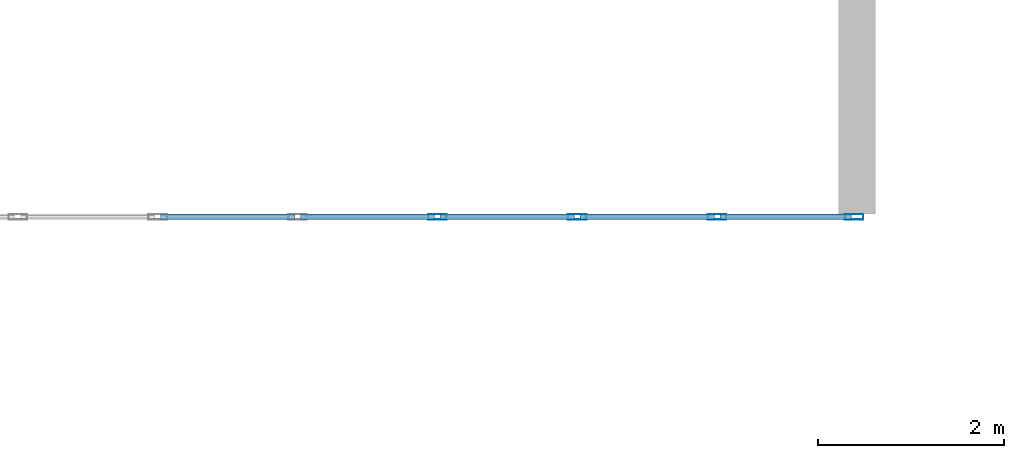
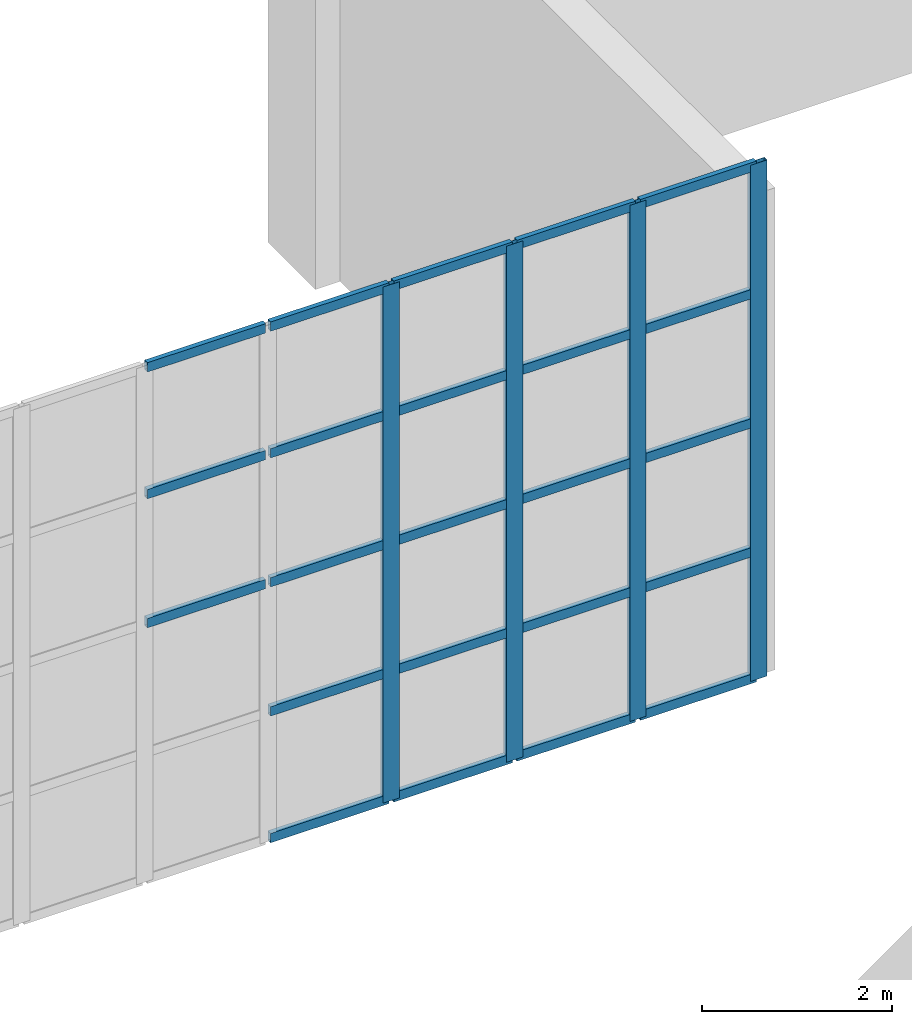
# One storey, part 21 of 85: 27 members, 1 element without a shape of its own.
"""IFC4 building model written with IfcOpenShell, lengths in metres."""

from ifc_helpers import new_model, si_unit, direction, frame, origin, origin_2d, place, context, subcontext, project, spatial, hollow_rectangle, extrude, material, layer, layer_set, material_profile, profile_set, type_object, element, aggregate, save


model = new_model("IFC4")

# Units and contexts
model_context = context("Model", 3, precision=1e-05, world=origin(), true_north=direction((0.0, 1.0)))
body_context = subcontext(model_context, "Body", "Model", "MODEL_VIEW")
ifc_project = project(units=[si_unit("LENGTHUNIT", "METRE"), si_unit("AREAUNIT", "SQUARE_METRE"), si_unit("VOLUMEUNIT", "CUBIC_METRE"), si_unit("PLANEANGLEUNIT", "RADIAN"), si_unit("MASSUNIT", "GRAM", prefix="KILO")], contexts=[model_context])

# Site, building, storey
site_placement = place(None, origin())
site = spatial("IfcSite", under=ifc_project, at=site_placement, CompositionType="ELEMENT")
building_placement = place(site_placement, origin())
building = spatial("IfcBuilding", under=site, at=building_placement, Name="Opaline Strait Convention Centre", CompositionType="ELEMENT")
storey_placement = place(building_placement, frame((0.0, 0.0, 17.0)))
storey = spatial("IfcBuildingStorey", under=building, at=storey_placement, Name="L03", CompositionType="ELEMENT", Elevation=17.0)

# Curtain wall, members
ifc_material_1 = material(Name="Aluminium framed glazing", Category="aluminium")
ifc_layer = layer(ifc_material_1, 0.199951171875)
ifc_layer_set = layer_set([ifc_layer], Name="Aluminium framed glazing")
curtain_wall_type = type_object("IfcCurtainWallType", Name="Entrance curtain wall 1500", PredefinedType="NOTDEFINED", material=ifc_layer_set)
curtain_wall_placement = place(storey_placement, origin())
curtain_wall = element("IfcCurtainWall", 1, at=curtain_wall_placement, inside=storey, type_object=curtain_wall_type, Name="Entrance curtain wall L03-R3", PredefinedType="NOTDEFINED")
ifc_material_2 = material(Name="Aluminium alloy 6063", Category="aluminium")
ifc_material_profile_1 = material_profile(ifc_material_2, hollow_rectangle(XDim=0.06005859375, YDim=0.199951171875, WallThickness=0.00390625, at=origin_2d()), Name="MULLION 60x200x4")
ifc_profile_set_1 = profile_set([ifc_material_profile_1], Name="Aluminium alloy 6063")
member_type_1 = type_object("IfcMemberType", Name="Curtain wall mullion 60 x 200", PredefinedType="MULLION", material=ifc_profile_set_1)
member_1_placement = place(storey_placement, frame((202.5, 144.0, 0.0), z_axis=(0.0, 0.0, 1.0), x_axis=(0.0, 1.0, 0.0)))
member_1 = element("IfcMember", 2, at=member_1_placement, type_object=member_type_1, Name="XCW mullion 10", PredefinedType="MULLION", context=body_context, shape_type="SweptSolid", body=[
    extrude(hollow_rectangle(XDim=0.06005859375, YDim=0.199951171875, WallThickness=0.00390625, at=origin_2d()), origin(), (0.0, 0.0, 1.0), 6.639892578125),
])
member_2_placement = place(storey_placement, frame((204.0, 144.0, 0.0), z_axis=(0.0, 0.0, 1.0), x_axis=(0.0, 1.0, 0.0)))
member_2 = element("IfcMember", 3, at=member_2_placement, type_object=member_type_1, Name="XCW mullion 11", PredefinedType="MULLION", context=body_context, shape_type="SweptSolid", body=[
    extrude(hollow_rectangle(XDim=0.06005859375, YDim=0.199951171875, WallThickness=0.00390625, at=origin_2d()), origin(), (0.0, 0.0, 1.0), 6.639892578125),
])
member_3_placement = place(storey_placement, frame((205.5, 144.0, 0.0), z_axis=(0.0, 0.0, 1.0), x_axis=(0.0, 1.0, 0.0)))
member_3 = element("IfcMember", 4, at=member_3_placement, type_object=member_type_1, Name="XCW mullion 12", PredefinedType="MULLION", context=body_context, shape_type="SweptSolid", body=[
    extrude(hollow_rectangle(XDim=0.06005859375, YDim=0.199951171875, WallThickness=0.00390625, at=origin_2d()), origin(), (0.0, 0.0, 1.0), 6.639892578125),
])
member_4_placement = place(storey_placement, frame((206.969970703125, 144.0, 0.0), z_axis=(0.0, 0.0, 1.0), x_axis=(0.0, 1.0, 0.0)))
member_4 = element("IfcMember", 5, at=member_4_placement, type_object=member_type_1, Name="XCW mullion 13", PredefinedType="MULLION", context=body_context, shape_type="SweptSolid", body=[
    extrude(hollow_rectangle(XDim=0.06005859375, YDim=0.199951171875, WallThickness=0.00390625, at=origin_2d()), origin(), (0.0, 0.0, 1.0), 6.639892578125),
])
ifc_material_profile_2 = material_profile(ifc_material_2, hollow_rectangle(XDim=0.06005859375, YDim=0.1201171875, WallThickness=0.0029296875, at=origin_2d()), Name="TRANSOM 60x120x3")
ifc_profile_set_2 = profile_set([ifc_material_profile_2], Name="Aluminium alloy 6063")
member_type_2 = type_object("IfcMemberType", Name="Curtain wall transom 60 x 120", PredefinedType="USERDEFINED", material=ifc_profile_set_2)
member_5_placement = place(storey_placement, frame((199.530029296875, 144.0, 3.320068359375), z_axis=(1.0, 0.0, 0.0), x_axis=(0.0, 1.0, 0.0)))
member_5 = element("IfcMember", 6, at=member_5_placement, type_object=member_type_2, Name="XCW transom 8.3", ObjectType="TRANSOM", PredefinedType="USERDEFINED", context=body_context, shape_type="SweptSolid", body=[
    extrude(hollow_rectangle(XDim=0.06005859375, YDim=0.1201171875, WallThickness=0.0029296875, at=origin_2d()), origin(), (0.0, 0.0, 1.0), 1.43994140625),
])
member_6_placement = place(storey_placement, frame((199.530029296875, 144.0, 4.97998046875), z_axis=(1.0, 0.0, 0.0), x_axis=(0.0, 1.0, 0.0)))
member_6 = element("IfcMember", 7, at=member_6_placement, type_object=member_type_2, Name="XCW transom 8.4", ObjectType="TRANSOM", PredefinedType="USERDEFINED", context=body_context, shape_type="SweptSolid", body=[
    extrude(hollow_rectangle(XDim=0.06005859375, YDim=0.1201171875, WallThickness=0.0029296875, at=origin_2d()), origin(), (0.0, 0.0, 1.0), 1.43994140625),
])
member_7_placement = place(storey_placement, frame((199.530029296875, 144.0, 6.610107421875), z_axis=(1.0, 0.0, 0.0), x_axis=(0.0, 1.0, 0.0)))
member_7 = element("IfcMember", 8, at=member_7_placement, type_object=member_type_2, Name="XCW transom 8.5", ObjectType="TRANSOM", PredefinedType="USERDEFINED", context=body_context, shape_type="SweptSolid", body=[
    extrude(hollow_rectangle(XDim=0.06005859375, YDim=0.1201171875, WallThickness=0.0029296875, at=origin_2d()), origin(), (0.0, 0.0, 1.0), 1.43994140625),
])
member_8_placement = place(storey_placement, frame((201.030029296875, 144.0, 0.030029296875), z_axis=(1.0, 0.0, 0.0), x_axis=(0.0, 1.0, 0.0)))
member_8 = element("IfcMember", 9, at=member_8_placement, type_object=member_type_2, Name="XCW transom 9.1", ObjectType="TRANSOM", PredefinedType="USERDEFINED", context=body_context, shape_type="SweptSolid", body=[
    extrude(hollow_rectangle(XDim=0.06005859375, YDim=0.1201171875, WallThickness=0.0029296875, at=origin_2d()), origin(), (0.0, 0.0, 1.0), 1.43994140625),
])
member_9_placement = place(storey_placement, frame((201.030029296875, 144.0, 1.659912109375), z_axis=(1.0, 0.0, 0.0), x_axis=(0.0, 1.0, 0.0)))
member_9 = element("IfcMember", 10, at=member_9_placement, type_object=member_type_2, Name="XCW transom 9.2", ObjectType="TRANSOM", PredefinedType="USERDEFINED", context=body_context, shape_type="SweptSolid", body=[
    extrude(hollow_rectangle(XDim=0.06005859375, YDim=0.1201171875, WallThickness=0.0029296875, at=origin_2d()), origin(), (0.0, 0.0, 1.0), 1.43994140625),
])
member_10_placement = place(storey_placement, frame((201.030029296875, 144.0, 3.320068359375), z_axis=(1.0, 0.0, 0.0), x_axis=(0.0, 1.0, 0.0)))
member_10 = element("IfcMember", 11, at=member_10_placement, type_object=member_type_2, Name="XCW transom 9.3", ObjectType="TRANSOM", PredefinedType="USERDEFINED", context=body_context, shape_type="SweptSolid", body=[
    extrude(hollow_rectangle(XDim=0.06005859375, YDim=0.1201171875, WallThickness=0.0029296875, at=origin_2d()), origin(), (0.0, 0.0, 1.0), 1.43994140625),
])
member_11_placement = place(storey_placement, frame((201.030029296875, 144.0, 4.97998046875), z_axis=(1.0, 0.0, 0.0), x_axis=(0.0, 1.0, 0.0)))
member_11 = element("IfcMember", 12, at=member_11_placement, type_object=member_type_2, Name="XCW transom 9.4", ObjectType="TRANSOM", PredefinedType="USERDEFINED", context=body_context, shape_type="SweptSolid", body=[
    extrude(hollow_rectangle(XDim=0.06005859375, YDim=0.1201171875, WallThickness=0.0029296875, at=origin_2d()), origin(), (0.0, 0.0, 1.0), 1.43994140625),
])
member_12_placement = place(storey_placement, frame((201.030029296875, 144.0, 6.610107421875), z_axis=(1.0, 0.0, 0.0), x_axis=(0.0, 1.0, 0.0)))
member_12 = element("IfcMember", 13, at=member_12_placement, type_object=member_type_2, Name="XCW transom 9.5", ObjectType="TRANSOM", PredefinedType="USERDEFINED", context=body_context, shape_type="SweptSolid", body=[
    extrude(hollow_rectangle(XDim=0.06005859375, YDim=0.1201171875, WallThickness=0.0029296875, at=origin_2d()), origin(), (0.0, 0.0, 1.0), 1.43994140625),
])
member_13_placement = place(storey_placement, frame((202.530029296875, 144.0, 0.030029296875), z_axis=(1.0, 0.0, 0.0), x_axis=(0.0, 1.0, 0.0)))
member_13 = element("IfcMember", 14, at=member_13_placement, type_object=member_type_2, Name="XCW transom 10.1", ObjectType="TRANSOM", PredefinedType="USERDEFINED", context=body_context, shape_type="SweptSolid", body=[
    extrude(hollow_rectangle(XDim=0.06005859375, YDim=0.1201171875, WallThickness=0.0029296875, at=origin_2d()), origin(), (0.0, 0.0, 1.0), 1.43994140625),
])
member_14_placement = place(storey_placement, frame((202.530029296875, 144.0, 1.659912109375), z_axis=(1.0, 0.0, 0.0), x_axis=(0.0, 1.0, 0.0)))
member_14 = element("IfcMember", 15, at=member_14_placement, type_object=member_type_2, Name="XCW transom 10.2", ObjectType="TRANSOM", PredefinedType="USERDEFINED", context=body_context, shape_type="SweptSolid", body=[
    extrude(hollow_rectangle(XDim=0.06005859375, YDim=0.1201171875, WallThickness=0.0029296875, at=origin_2d()), origin(), (0.0, 0.0, 1.0), 1.43994140625),
])
member_15_placement = place(storey_placement, frame((202.530029296875, 144.0, 3.320068359375), z_axis=(1.0, 0.0, 0.0), x_axis=(0.0, 1.0, 0.0)))
member_15 = element("IfcMember", 16, at=member_15_placement, type_object=member_type_2, Name="XCW transom 10.3", ObjectType="TRANSOM", PredefinedType="USERDEFINED", context=body_context, shape_type="SweptSolid", body=[
    extrude(hollow_rectangle(XDim=0.06005859375, YDim=0.1201171875, WallThickness=0.0029296875, at=origin_2d()), origin(), (0.0, 0.0, 1.0), 1.43994140625),
])
member_16_placement = place(storey_placement, frame((202.530029296875, 144.0, 4.97998046875), z_axis=(1.0, 0.0, 0.0), x_axis=(0.0, 1.0, 0.0)))
member_16 = element("IfcMember", 17, at=member_16_placement, type_object=member_type_2, Name="XCW transom 10.4", ObjectType="TRANSOM", PredefinedType="USERDEFINED", context=body_context, shape_type="SweptSolid", body=[
    extrude(hollow_rectangle(XDim=0.06005859375, YDim=0.1201171875, WallThickness=0.0029296875, at=origin_2d()), origin(), (0.0, 0.0, 1.0), 1.43994140625),
])
member_17_placement = place(storey_placement, frame((202.530029296875, 144.0, 6.610107421875), z_axis=(1.0, 0.0, 0.0), x_axis=(0.0, 1.0, 0.0)))
member_17 = element("IfcMember", 18, at=member_17_placement, type_object=member_type_2, Name="XCW transom 10.5", ObjectType="TRANSOM", PredefinedType="USERDEFINED", context=body_context, shape_type="SweptSolid", body=[
    extrude(hollow_rectangle(XDim=0.06005859375, YDim=0.1201171875, WallThickness=0.0029296875, at=origin_2d()), origin(), (0.0, 0.0, 1.0), 1.43994140625),
])
member_18_placement = place(storey_placement, frame((204.030029296875, 144.0, 0.030029296875), z_axis=(1.0, 0.0, 0.0), x_axis=(0.0, 1.0, 0.0)))
member_18 = element("IfcMember", 19, at=member_18_placement, type_object=member_type_2, Name="XCW transom 11.1", ObjectType="TRANSOM", PredefinedType="USERDEFINED", context=body_context, shape_type="SweptSolid", body=[
    extrude(hollow_rectangle(XDim=0.06005859375, YDim=0.1201171875, WallThickness=0.0029296875, at=origin_2d()), origin(), (0.0, 0.0, 1.0), 1.43994140625),
])
member_19_placement = place(storey_placement, frame((204.030029296875, 144.0, 1.659912109375), z_axis=(1.0, 0.0, 0.0), x_axis=(0.0, 1.0, 0.0)))
member_19 = element("IfcMember", 20, at=member_19_placement, type_object=member_type_2, Name="XCW transom 11.2", ObjectType="TRANSOM", PredefinedType="USERDEFINED", context=body_context, shape_type="SweptSolid", body=[
    extrude(hollow_rectangle(XDim=0.06005859375, YDim=0.1201171875, WallThickness=0.0029296875, at=origin_2d()), origin(), (0.0, 0.0, 1.0), 1.43994140625),
])
member_20_placement = place(storey_placement, frame((204.030029296875, 144.0, 3.320068359375), z_axis=(1.0, 0.0, 0.0), x_axis=(0.0, 1.0, 0.0)))
member_20 = element("IfcMember", 21, at=member_20_placement, type_object=member_type_2, Name="XCW transom 11.3", ObjectType="TRANSOM", PredefinedType="USERDEFINED", context=body_context, shape_type="SweptSolid", body=[
    extrude(hollow_rectangle(XDim=0.06005859375, YDim=0.1201171875, WallThickness=0.0029296875, at=origin_2d()), origin(), (0.0, 0.0, 1.0), 1.43994140625),
])
member_21_placement = place(storey_placement, frame((204.030029296875, 144.0, 4.97998046875), z_axis=(1.0, 0.0, 0.0), x_axis=(0.0, 1.0, 0.0)))
member_21 = element("IfcMember", 22, at=member_21_placement, type_object=member_type_2, Name="XCW transom 11.4", ObjectType="TRANSOM", PredefinedType="USERDEFINED", context=body_context, shape_type="SweptSolid", body=[
    extrude(hollow_rectangle(XDim=0.06005859375, YDim=0.1201171875, WallThickness=0.0029296875, at=origin_2d()), origin(), (0.0, 0.0, 1.0), 1.43994140625),
])
member_22_placement = place(storey_placement, frame((204.030029296875, 144.0, 6.610107421875), z_axis=(1.0, 0.0, 0.0), x_axis=(0.0, 1.0, 0.0)))
member_22 = element("IfcMember", 23, at=member_22_placement, type_object=member_type_2, Name="XCW transom 11.5", ObjectType="TRANSOM", PredefinedType="USERDEFINED", context=body_context, shape_type="SweptSolid", body=[
    extrude(hollow_rectangle(XDim=0.06005859375, YDim=0.1201171875, WallThickness=0.0029296875, at=origin_2d()), origin(), (0.0, 0.0, 1.0), 1.43994140625),
])
member_23_placement = place(storey_placement, frame((205.530029296875, 144.0, 0.030029296875), z_axis=(1.0, 0.0, 0.0), x_axis=(0.0, 1.0, 0.0)))
member_23 = element("IfcMember", 24, at=member_23_placement, type_object=member_type_2, Name="XCW transom 12.1", ObjectType="TRANSOM", PredefinedType="USERDEFINED", context=body_context, shape_type="SweptSolid", body=[
    extrude(hollow_rectangle(XDim=0.06005859375, YDim=0.1201171875, WallThickness=0.0029296875, at=origin_2d()), origin(), (0.0, 0.0, 1.0), 1.409912109375),
])
member_24_placement = place(storey_placement, frame((205.530029296875, 144.0, 1.659912109375), z_axis=(1.0, 0.0, 0.0), x_axis=(0.0, 1.0, 0.0)))
member_24 = element("IfcMember", 25, at=member_24_placement, type_object=member_type_2, Name="XCW transom 12.2", ObjectType="TRANSOM", PredefinedType="USERDEFINED", context=body_context, shape_type="SweptSolid", body=[
    extrude(hollow_rectangle(XDim=0.06005859375, YDim=0.1201171875, WallThickness=0.0029296875, at=origin_2d()), origin(), (0.0, 0.0, 1.0), 1.409912109375),
])
member_25_placement = place(storey_placement, frame((205.530029296875, 144.0, 3.320068359375), z_axis=(1.0, 0.0, 0.0), x_axis=(0.0, 1.0, 0.0)))
member_25 = element("IfcMember", 26, at=member_25_placement, type_object=member_type_2, Name="XCW transom 12.3", ObjectType="TRANSOM", PredefinedType="USERDEFINED", context=body_context, shape_type="SweptSolid", body=[
    extrude(hollow_rectangle(XDim=0.06005859375, YDim=0.1201171875, WallThickness=0.0029296875, at=origin_2d()), origin(), (0.0, 0.0, 1.0), 1.409912109375),
])
member_26_placement = place(storey_placement, frame((205.530029296875, 144.0, 4.97998046875), z_axis=(1.0, 0.0, 0.0), x_axis=(0.0, 1.0, 0.0)))
member_26 = element("IfcMember", 27, at=member_26_placement, type_object=member_type_2, Name="XCW transom 12.4", ObjectType="TRANSOM", PredefinedType="USERDEFINED", context=body_context, shape_type="SweptSolid", body=[
    extrude(hollow_rectangle(XDim=0.06005859375, YDim=0.1201171875, WallThickness=0.0029296875, at=origin_2d()), origin(), (0.0, 0.0, 1.0), 1.409912109375),
])
member_27_placement = place(storey_placement, frame((205.530029296875, 144.0, 6.610107421875), z_axis=(1.0, 0.0, 0.0), x_axis=(0.0, 1.0, 0.0)))
member_27 = element("IfcMember", 28, at=member_27_placement, type_object=member_type_2, Name="XCW transom 12.5", ObjectType="TRANSOM", PredefinedType="USERDEFINED", context=body_context, shape_type="SweptSolid", body=[
    extrude(hollow_rectangle(XDim=0.06005859375, YDim=0.1201171875, WallThickness=0.0029296875, at=origin_2d()), origin(), (0.0, 0.0, 1.0), 1.409912109375),
])
aggregate(curtain_wall, [member_1, member_2, member_3, member_4, member_5, member_6, member_7, member_8, member_9, member_10, member_11, member_12, member_13, member_14, member_15, member_16, member_17, member_18, member_19, member_20, member_21, member_22, member_23, member_24, member_25, member_26, member_27])

save(model, "model.ifc")
